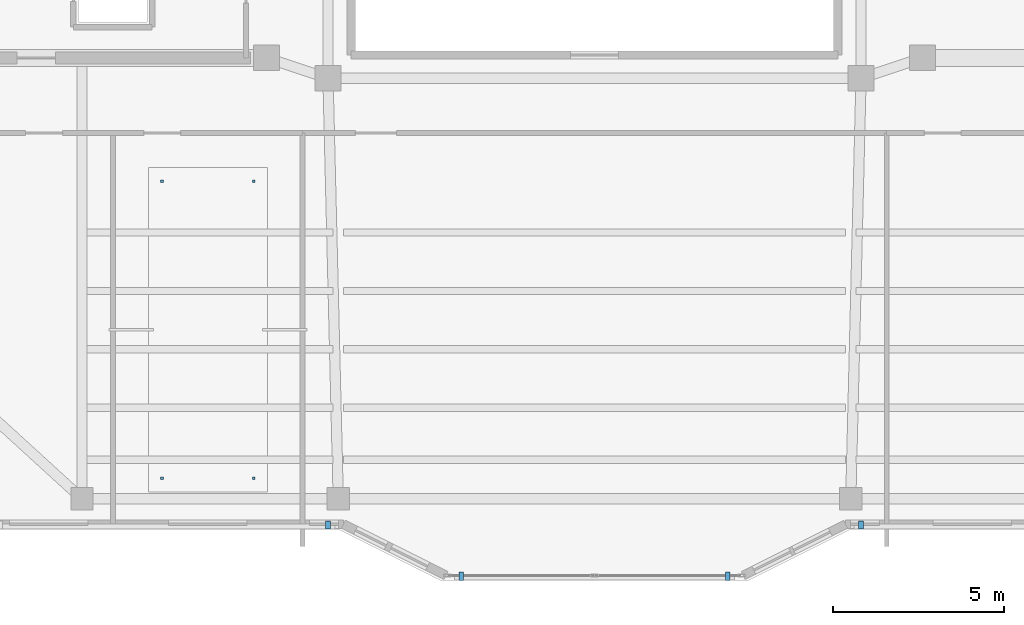
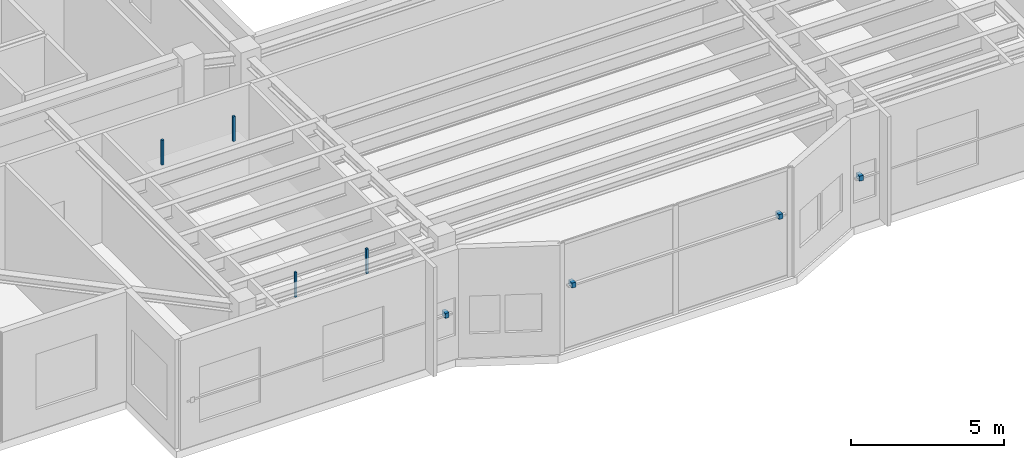
# One storey, part 19 of 25: 8 discrete accessories.
"""IFC4 building model written with IfcOpenShell, lengths in metres."""

from ifc_helpers import new_model, si_unit, direction, frame, origin, origin_2d, place, context, subcontext, project, spatial, rectangle, extrude, material, type_object, element, save


model = new_model("IFC4")

# Units and contexts
model_context = context("Model", 3, precision=1e-05, world=origin(), true_north=direction((0.0, 1.0)))
body_context = subcontext(model_context, "Body", "Model", "MODEL_VIEW")
ifc_project = project(units=[si_unit("LENGTHUNIT", "METRE"), si_unit("AREAUNIT", "SQUARE_METRE"), si_unit("VOLUMEUNIT", "CUBIC_METRE"), si_unit("PLANEANGLEUNIT", "RADIAN"), si_unit("MASSUNIT", "GRAM", prefix="KILO")], contexts=[model_context])

# Site, building, storey
site_placement = place(None, origin())
site = spatial("IfcSite", under=ifc_project, at=site_placement, CompositionType="ELEMENT")
building_placement = place(site_placement, origin())
building = spatial("IfcBuilding", under=site, at=building_placement, Name="Tarnavaz Court Tower", CompositionType="ELEMENT")
storey_placement = place(building_placement, frame((0.0, 0.0, 271.64990234375)))
storey = spatial("IfcBuildingStorey", under=building, at=storey_placement, Name="L74", CompositionType="ELEMENT", Elevation=271.64990234375)

# Discrete accessories
ifc_material = material(Name="Anodised Aluminium 6063-T6", Category="aluminium")
discrete_accessory_type = type_object("IfcDiscreteAccessoryType", Name="DA-BRKT-ALU", PredefinedType="BRACKET", material=ifc_material)
for number, where, z_axis, x_axis, name in (
    (1, (7.800048828125, -20.8701171875, 1.75), (0.0, 0.0, 1.0), (-1.0, 0.0, 0.0), "L74 Baguette Outrigger Bracket FBG15-2"),
    (2, (3.89990234375, -22.3701171875, 2.5), (0.0, 0.0, 1.0), (-1.0, 0.0, 0.0), "L74 Baguette Outrigger Bracket OBG17-1"),
    (3, (-3.89990234375, -22.3701171875, 2.5), (0.0, 0.0, 1.0), (-1.0, 0.0, 0.0), "L74 Baguette Outrigger Bracket OBG17-2"),
    (4, (-7.800048828125, -20.8701171875, 1.75), (0.0, 0.0, 1.0), (-1.0, 0.0, 0.0), "L74 Baguette Outrigger Bracket FBG19-1"),
):
    element("IfcDiscreteAccessory", number, at=place(storey_placement, frame(where, z_axis=z_axis, x_axis=x_axis)), inside=storey, type_object=discrete_accessory_type, Name=name, PredefinedType="BRACKET", context=body_context, shape_type="SweptSolid", body=[
        extrude(rectangle(XDim=0.139892578125, YDim=0.239990234375, at=origin_2d()), origin(), (0.0, 0.0, 1.0), 0.199951171875),
    ])
for number, where, z_axis, x_axis, name in (
    (5, (-12.659912109375, -19.5, 3.39013671875), (0.0, 0.0, 1.0), (1.0, 0.0, 0.0), "L74 Ceiling Suspension Hanger Bracket 04-1"),
    (6, (-9.969970703125, -19.5, 3.39013671875), (0.0, 0.0, 1.0), (1.0, 0.0, 0.0), "L74 Ceiling Suspension Hanger Bracket 04-2"),
    (7, (-9.969970703125, -10.81005859375, 3.39013671875), (0.0, 0.0, 1.0), (1.0, 0.0, 0.0), "L74 Ceiling Suspension Hanger Bracket 04-3"),
    (8, (-12.659912109375, -10.81005859375, 3.39013671875), (0.0, 0.0, 1.0), (1.0, 0.0, 0.0), "L74 Ceiling Suspension Hanger Bracket 04-4"),
):
    element("IfcDiscreteAccessory", number, at=place(storey_placement, frame(where, z_axis=z_axis, x_axis=x_axis)), inside=storey, type_object=discrete_accessory_type, Name=name, PredefinedType="BRACKET", context=body_context, shape_type="SweptSolid", body=[
        extrude(rectangle(XDim=0.080078125, YDim=0.080078125, at=origin_2d()), origin(), (0.0, 0.0, 1.0), 0.989990234375),
    ])

save(model, "model.ifc")
